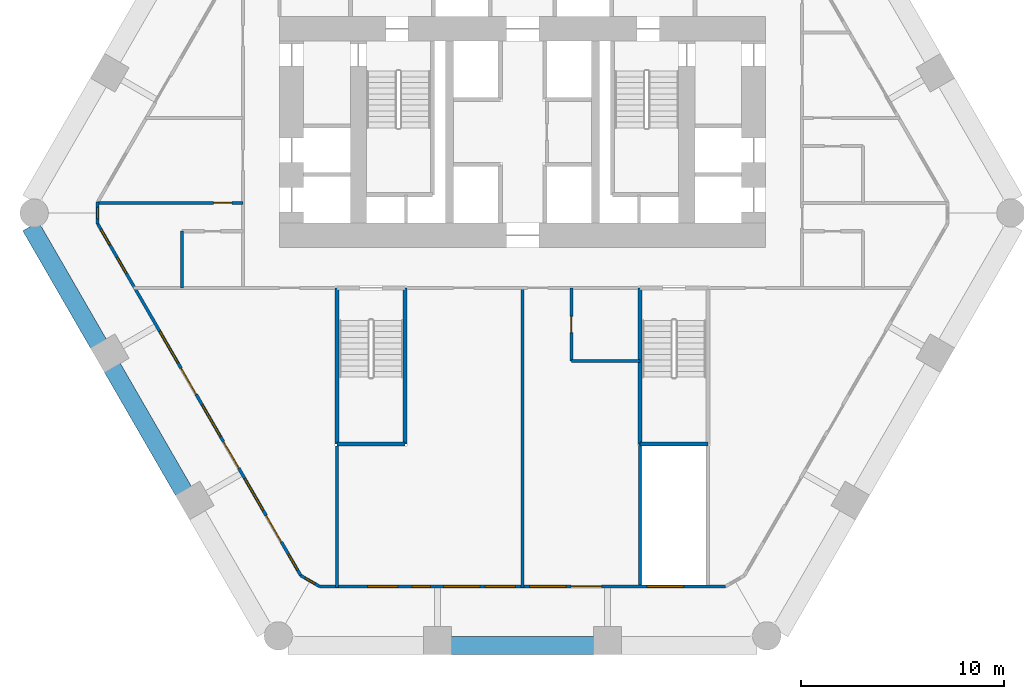
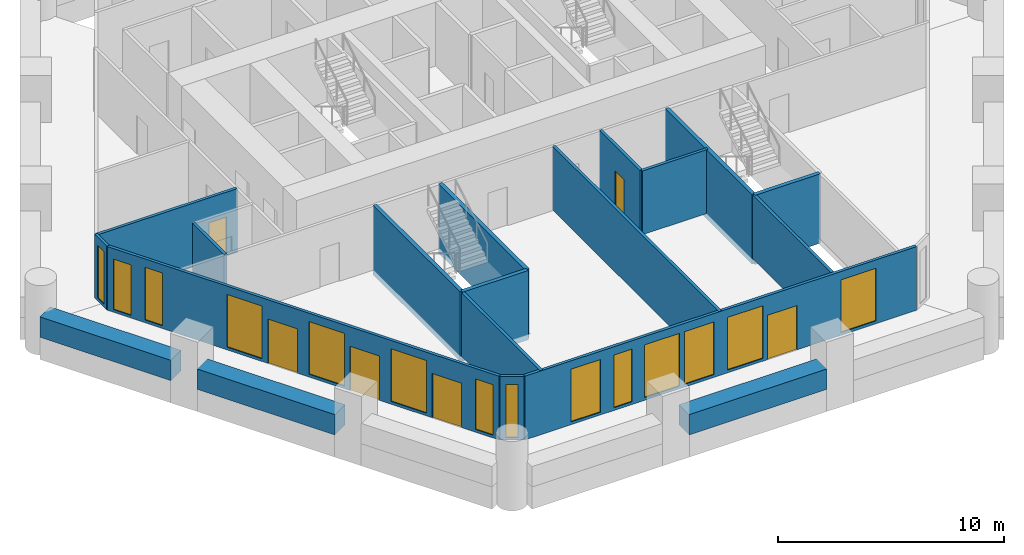
# One storey, part 2 of 8: 19 walls, 14 windows, 6 doors, 20 openings.
"""IFC4 building model written with IfcOpenShell, lengths in metres."""

from ifc_helpers import new_model, si_unit, direction, frame, frame_2d, origin, place, context, subcontext, project, spatial, rectangle, extrude, material, layer, layer_set, type_object, element, fill, save


model = new_model("IFC4")

# Units and contexts
model_context = context("Model", 3, precision=1e-05, world=origin(), true_north=direction((0.0, 1.0)))
body_context = subcontext(model_context, "Body", "Model", "MODEL_VIEW")
ifc_project = project(units=[si_unit("LENGTHUNIT", "METRE"), si_unit("AREAUNIT", "SQUARE_METRE"), si_unit("VOLUMEUNIT", "CUBIC_METRE"), si_unit("PLANEANGLEUNIT", "RADIAN"), si_unit("MASSUNIT", "GRAM", prefix="KILO")], contexts=[model_context])

# Site, building, storey
site_placement = place(None, origin())
site = spatial("IfcSite", under=ifc_project, at=site_placement, CompositionType="ELEMENT")
building_placement = place(site_placement, origin())
building = spatial("IfcBuilding", under=site, at=building_placement, Name="Ostrander Bayou Hotel Tower", CompositionType="ELEMENT")
storey_placement = place(building_placement, frame((0.0, 0.0, 31.75)))
storey = spatial("IfcBuildingStorey", under=building, at=storey_placement, Name="L07", CompositionType="ELEMENT", Elevation=31.75)

# Wall, openings, doors, windows
ifc_material_1 = material(Name="Aluminium framed insulated wall", Category="aluminium")
ifc_layer_1 = layer(ifc_material_1, 0.14990234375)
ifc_layer_set_1 = layer_set([ifc_layer_1], Name="GW1 glass-line wall 150 mm")
wall_type_1 = type_object("IfcWallType", Name="GW1 glass-line wall 150 mm", PredefinedType="SOLIDWALL", material=ifc_layer_set_1)
wall_1_placement = place(storey_placement, frame((-20.968017578125, -0.532470703125, 0.0), z_axis=(0.0, 0.0, 1.0), x_axis=(0.500003237297, -0.866023534722, 0.0)))
wall_1 = element("IfcWall", 1, at=wall_1_placement, inside=storey, type_object=wall_type_1, Name="GW1 L07 SW 1", PredefinedType="SOLIDWALL", context=body_context, shape_type="SweptSolid", body=[
    extrude(rectangle(XDim=20.045654296875, YDim=0.14990234375, at=frame_2d((10.02294921875, 0.0))), origin(), (0.0, 0.0, 1.0), 3.449951171875),
])
opening_1_placement = place(wall_1_placement, frame((1.9228515625, 0.0, 0.14990234375)))
opening_1 = element("IfcOpeningElement", 2, at=opening_1_placement, cuts=wall_1, Name="Opening W15", PredefinedType="OPENING", context=body_context, shape_type="SweptSolid", body=[
    extrude(rectangle(XDim=0.89990234375, YDim=2.85009765625, at=frame_2d((0.449951171875, 1.425048828125))), frame((0.0, 0.074951171875, 0.0), z_axis=(0.0, -1.0, 0.0), x_axis=(1.0, 0.0, 0.0)), (0.0, 0.0, 1.0), 0.14990234375),
])
opening_2_placement = place(wall_1_placement, frame((6.122802734375, 0.0, 0.14990234375)))
opening_2 = element("IfcOpeningElement", 3, at=opening_2_placement, cuts=wall_1, Name="Opening W1", PredefinedType="OPENING", context=body_context, shape_type="SweptSolid", body=[
    extrude(rectangle(XDim=1.800048828125, YDim=2.85009765625, at=frame_2d((0.89990234375, 1.425048828125))), frame((0.0, 0.074951171875, 0.0), z_axis=(0.0, -1.0, 0.0), x_axis=(1.0, 0.0, 0.0)), (0.0, 0.0, 1.0), 0.14990234375),
])
opening_3_placement = place(wall_1_placement, frame((8.222900390625, 0.0, 0.0)))
opening_3 = element("IfcOpeningElement", 4, at=opening_3_placement, cuts=wall_1, Name="Opening T06-801", PredefinedType="OPENING", context=body_context, shape_type="SweptSolid", body=[
    extrude(rectangle(XDim=1.5, YDim=2.39990234375, at=frame_2d((0.75, 1.199951171875))), frame((0.0, 0.074951171875, 0.0), z_axis=(0.0, -1.0, 0.0), x_axis=(1.0, 0.0, 0.0)), (0.0, 0.0, 1.0), 0.14990234375),
])
opening_4_placement = place(wall_1_placement, frame((10.32275390625, 0.0, 0.14990234375)))
opening_4 = element("IfcOpeningElement", 5, at=opening_4_placement, cuts=wall_1, Name="Opening W1", PredefinedType="OPENING", context=body_context, shape_type="SweptSolid", body=[
    extrude(rectangle(XDim=1.800048828125, YDim=2.85009765625, at=frame_2d((0.89990234375, 1.425048828125))), frame((0.0, 0.074951171875, 0.0), z_axis=(0.0, -1.0, 0.0), x_axis=(1.0, 0.0, 0.0)), (0.0, 0.0, 1.0), 0.14990234375),
])
opening_5_placement = place(wall_1_placement, frame((12.4228515625, 0.0, 0.0)))
opening_5 = element("IfcOpeningElement", 6, at=opening_5_placement, cuts=wall_1, Name="Opening T06-802", PredefinedType="OPENING", context=body_context, shape_type="SweptSolid", body=[
    extrude(rectangle(XDim=1.5, YDim=2.39990234375, at=frame_2d((0.75, 1.199951171875))), frame((0.0, 0.074951171875, 0.0), z_axis=(0.0, -1.0, 0.0), x_axis=(1.0, 0.0, 0.0)), (0.0, 0.0, 1.0), 0.14990234375),
])
opening_6_placement = place(wall_1_placement, frame((14.522705078125, 0.0, 0.14990234375)))
opening_6 = element("IfcOpeningElement", 7, at=opening_6_placement, cuts=wall_1, Name="Opening W1", PredefinedType="OPENING", context=body_context, shape_type="SweptSolid", body=[
    extrude(rectangle(XDim=1.800048828125, YDim=2.85009765625, at=frame_2d((0.89990234375, 1.425048828125))), frame((0.0, 0.074951171875, 0.0), z_axis=(0.0, -1.0, 0.0), x_axis=(1.0, 0.0, 0.0)), (0.0, 0.0, 1.0), 0.14990234375),
])
opening_7_placement = place(wall_1_placement, frame((16.622802734375, 0.0, 0.0)))
opening_7 = element("IfcOpeningElement", 8, at=opening_7_placement, cuts=wall_1, Name="Opening T06-803", PredefinedType="OPENING", context=body_context, shape_type="SweptSolid", body=[
    extrude(rectangle(XDim=1.5, YDim=2.39990234375, at=frame_2d((0.75, 1.199951171875))), frame((0.0, 0.074951171875, 0.0), z_axis=(0.0, -1.0, 0.0), x_axis=(1.0, 0.0, 0.0)), (0.0, 0.0, 1.0), 0.14990234375),
])
opening_8_placement = place(wall_1_placement, frame((0.311279296875, 0.0, 0.14990234375)))
opening_8 = element("IfcOpeningElement", 9, at=opening_8_placement, cuts=wall_1, Name="Opening W15", PredefinedType="OPENING", context=body_context, shape_type="SweptSolid", body=[
    extrude(rectangle(XDim=0.89990234375, YDim=2.72998046875, at=frame_2d((0.449951171875, 1.364990234375))), frame((0.0, 0.074951171875, 0.0), z_axis=(0.0, -1.0, 0.0), x_axis=(1.0, 0.0, 0.0)), (0.0, 0.0, 1.0), 0.14990234375),
])
opening_9_placement = place(wall_1_placement, frame((18.834228515625, 0.0, 0.14990234375)))
opening_9 = element("IfcOpeningElement", 10, at=opening_9_placement, cuts=wall_1, Name="Opening W15", PredefinedType="OPENING", context=body_context, shape_type="SweptSolid", body=[
    extrude(rectangle(XDim=0.89990234375, YDim=2.72998046875, at=frame_2d((0.449951171875, 1.364990234375))), frame((0.0, 0.074951171875, 0.0), z_axis=(0.0, -1.0, 0.0), x_axis=(1.0, 0.0, 0.0)), (0.0, 0.0, 1.0), 0.14990234375),
])
ifc_material_2 = material(Name="Aluminium and clear glass", Category="aluminium")
door_type_1 = type_object("IfcDoorType", Name="SD1 sliding glass door 1500 mm, zone 1", OperationType="SLIDING_TO_LEFT", PredefinedType="DOOR", material=ifc_material_2)
door_1_placement = place(opening_3_placement, origin())
door_1 = element("IfcDoor", 11, at=door_1_placement, inside=storey, type_object=door_type_1, Name="SD1 L07 SW 2", OperationType="SLIDING_TO_RIGHT", OverallHeight=2.39990234375, OverallWidth=1.5, PredefinedType="DOOR", context=body_context, shape_type="SweptSolid", body=[
    extrude(rectangle(XDim=1.5, YDim=2.39990234375, at=frame_2d((0.75, 1.199951171875))), frame((0.0, 0.02490234375, 0.0), z_axis=(0.0, -1.0, 0.0), x_axis=(1.0, 0.0, 0.0)), (0.0, 0.0, 1.0), 0.050048828125),
])
fill(opening_3, door_1)
door_2_placement = place(opening_5_placement, origin())
door_2 = element("IfcDoor", 12, at=door_2_placement, inside=storey, type_object=door_type_1, Name="SD1 L07 SW 3", OperationType="SLIDING_TO_LEFT", OverallHeight=2.39990234375, OverallWidth=1.5, PredefinedType="DOOR", context=body_context, shape_type="SweptSolid", body=[
    extrude(rectangle(XDim=1.5, YDim=2.39990234375, at=frame_2d((0.75, 1.199951171875))), frame((0.0, 0.02490234375, 0.0), z_axis=(0.0, -1.0, 0.0), x_axis=(1.0, 0.0, 0.0)), (0.0, 0.0, 1.0), 0.050048828125),
])
fill(opening_5, door_2)
door_3_placement = place(opening_7_placement, origin())
door_3 = element("IfcDoor", 13, at=door_3_placement, inside=storey, type_object=door_type_1, Name="SD1 L07 SW 4", OperationType="SLIDING_TO_RIGHT", OverallHeight=2.39990234375, OverallWidth=1.5, PredefinedType="DOOR", context=body_context, shape_type="SweptSolid", body=[
    extrude(rectangle(XDim=1.5, YDim=2.39990234375, at=frame_2d((0.75, 1.199951171875))), frame((0.0, 0.02490234375, 0.0), z_axis=(0.0, -1.0, 0.0), x_axis=(1.0, 0.0, 0.0)), (0.0, 0.0, 1.0), 0.050048828125),
])
fill(opening_7, door_3)
ifc_material_3 = material(Name="Aluminium and clear glass", Category="aluminium")
window_type_1 = type_object("IfcWindowType", Name="W1 fixed window 1800 mm, zone 1", PartitioningType="SINGLE_PANEL", PredefinedType="WINDOW", material=ifc_material_3)
window_1_placement = place(opening_2_placement, origin())
window_1 = element("IfcWindow", 14, at=window_1_placement, inside=storey, type_object=window_type_1, Name="W1 L07 SW 2", OverallHeight=2.85009765625, OverallWidth=1.800048828125, PartitioningType="SINGLE_PANEL", PredefinedType="WINDOW", context=body_context, shape_type="SweptSolid", body=[
    extrude(rectangle(XDim=1.800048828125, YDim=2.85009765625, at=frame_2d((0.89990234375, 1.425048828125))), frame((0.0, 0.030029296875, 0.0), z_axis=(0.0, -1.0, 0.0), x_axis=(1.0, 0.0, 0.0)), (0.0, 0.0, 1.0), 0.06005859375),
])
fill(opening_2, window_1)
window_2_placement = place(opening_4_placement, origin())
window_2 = element("IfcWindow", 15, at=window_2_placement, inside=storey, type_object=window_type_1, Name="W1 L07 SW 3", OverallHeight=2.85009765625, OverallWidth=1.800048828125, PartitioningType="SINGLE_PANEL", PredefinedType="WINDOW", context=body_context, shape_type="SweptSolid", body=[
    extrude(rectangle(XDim=1.800048828125, YDim=2.85009765625, at=frame_2d((0.89990234375, 1.425048828125))), frame((0.0, 0.030029296875, 0.0), z_axis=(0.0, -1.0, 0.0), x_axis=(1.0, 0.0, 0.0)), (0.0, 0.0, 1.0), 0.06005859375),
])
fill(opening_4, window_2)
window_3_placement = place(opening_6_placement, origin())
window_3 = element("IfcWindow", 16, at=window_3_placement, inside=storey, type_object=window_type_1, Name="W1 L07 SW 4", OverallHeight=2.85009765625, OverallWidth=1.800048828125, PartitioningType="SINGLE_PANEL", PredefinedType="WINDOW", context=body_context, shape_type="SweptSolid", body=[
    extrude(rectangle(XDim=1.800048828125, YDim=2.85009765625, at=frame_2d((0.89990234375, 1.425048828125))), frame((0.0, 0.030029296875, 0.0), z_axis=(0.0, -1.0, 0.0), x_axis=(1.0, 0.0, 0.0)), (0.0, 0.0, 1.0), 0.06005859375),
])
fill(opening_6, window_3)
ifc_material_4 = material(Name="Aluminium and clear glass", Category="aluminium")
window_type_2 = type_object("IfcWindowType", Name="W15 window 900 mm, zone 1", PartitioningType="SINGLE_PANEL", PredefinedType="WINDOW", material=ifc_material_4)
window_4_placement = place(opening_1_placement, origin())
window_4 = element("IfcWindow", 17, at=window_4_placement, inside=storey, type_object=window_type_2, Name="W15 L07 SW 1", OverallHeight=2.85009765625, OverallWidth=0.89990234375, PartitioningType="SINGLE_PANEL", PredefinedType="WINDOW", context=body_context, shape_type="SweptSolid", body=[
    extrude(rectangle(XDim=0.89990234375, YDim=2.85009765625, at=frame_2d((0.449951171875, 1.425048828125))), frame((0.0, 0.030029296875, 0.0), z_axis=(0.0, -1.0, 0.0), x_axis=(1.0, 0.0, 0.0)), (0.0, 0.0, 1.0), 0.06005859375),
])
fill(opening_1, window_4)
window_5_placement = place(opening_8_placement, origin())
window_5 = element("IfcWindow", 18, at=window_5_placement, inside=storey, type_object=window_type_2, Name="W15 L07 SW E11", OverallHeight=2.72998046875, OverallWidth=0.89990234375, PartitioningType="SINGLE_PANEL", PredefinedType="WINDOW", context=body_context, shape_type="SweptSolid", body=[
    extrude(rectangle(XDim=0.89990234375, YDim=2.72998046875, at=frame_2d((0.449951171875, 1.364990234375))), frame((0.0, 0.030029296875, 0.0), z_axis=(0.0, -1.0, 0.0), x_axis=(1.0, 0.0, 0.0)), (0.0, 0.0, 1.0), 0.06005859375),
])
fill(opening_8, window_5)
window_6_placement = place(opening_9_placement, origin())
window_6 = element("IfcWindow", 19, at=window_6_placement, inside=storey, type_object=window_type_2, Name="W15 L07 SW E21", OverallHeight=2.72998046875, OverallWidth=0.89990234375, PartitioningType="SINGLE_PANEL", PredefinedType="WINDOW", context=body_context, shape_type="SweptSolid", body=[
    extrude(rectangle(XDim=0.89990234375, YDim=2.72998046875, at=frame_2d((0.449951171875, 1.364990234375))), frame((0.0, 0.030029296875, 0.0), z_axis=(0.0, -1.0, 0.0), x_axis=(1.0, 0.0, 0.0)), (0.0, 0.0, 1.0), 0.06005859375),
])
fill(opening_9, window_6)

# Wall, openings, door, windows
wall_2_placement = place(storey_placement, frame((-10.022705078125, -18.425048828125, 0.0), z_axis=(0.0, 0.0, 1.0), x_axis=(1.0, 0.0, 0.0)))
wall_2 = element("IfcWall", 20, at=wall_2_placement, inside=storey, type_object=wall_type_1, Name="GW1 L07 S 1", PredefinedType="SOLIDWALL", context=body_context, shape_type="SweptSolid", body=[
    extrude(rectangle(XDim=20.04541015625, YDim=0.14990234375, at=frame_2d((10.022705078125, 0.0))), origin(), (0.0, 0.0, 1.0), 3.449951171875),
])
opening_10_placement = place(wall_2_placement, frame((4.57275390625, 0.0, 0.14990234375)))
opening_10 = element("IfcOpeningElement", 21, at=opening_10_placement, cuts=wall_2, Name="Opening W15", PredefinedType="OPENING", context=body_context, shape_type="SweptSolid", body=[
    extrude(rectangle(XDim=0.89990234375, YDim=2.85009765625, at=frame_2d((0.449951171875, 1.425048828125))), frame((0.0, 0.074951171875, 0.0), z_axis=(0.0, -1.0, 0.0), x_axis=(1.0, 0.0, 0.0)), (0.0, 0.0, 1.0), 0.14990234375),
])
opening_11_placement = place(wall_2_placement, frame((2.372802734375, 0.0, 0.14990234375)))
opening_11 = element("IfcOpeningElement", 22, at=opening_11_placement, cuts=wall_2, Name="Opening W11", PredefinedType="OPENING", context=body_context, shape_type="SweptSolid", body=[
    extrude(rectangle(XDim=1.5, YDim=2.85009765625, at=frame_2d((0.75, 1.425048828125))), frame((0.0, 0.074951171875, 0.0), z_axis=(0.0, -1.0, 0.0), x_axis=(1.0, 0.0, 0.0)), (0.0, 0.0, 1.0), 0.14990234375),
])
opening_12_placement = place(wall_2_placement, frame((6.122802734375, 0.0, 0.14990234375)))
opening_12 = element("IfcOpeningElement", 23, at=opening_12_placement, cuts=wall_2, Name="Opening W1", PredefinedType="OPENING", context=body_context, shape_type="SweptSolid", body=[
    extrude(rectangle(XDim=1.800048828125, YDim=2.85009765625, at=frame_2d((0.89990234375, 1.425048828125))), frame((0.0, 0.074951171875, 0.0), z_axis=(0.0, -1.0, 0.0), x_axis=(1.0, 0.0, 0.0)), (0.0, 0.0, 1.0), 0.14990234375),
])
opening_13_placement = place(wall_2_placement, frame((8.1728515625, 0.0, 0.14990234375)))
opening_13 = element("IfcOpeningElement", 24, at=opening_13_placement, cuts=wall_2, Name="Opening W11", PredefinedType="OPENING", context=body_context, shape_type="SweptSolid", body=[
    extrude(rectangle(XDim=1.5, YDim=2.85009765625, at=frame_2d((0.75, 1.425048828125))), frame((0.0, 0.074951171875, 0.0), z_axis=(0.0, -1.0, 0.0), x_axis=(1.0, 0.0, 0.0)), (0.0, 0.0, 1.0), 0.14990234375),
])
opening_14_placement = place(wall_2_placement, frame((10.372802734375, 0.0, 0.14990234375)))
opening_14 = element("IfcOpeningElement", 25, at=opening_14_placement, cuts=wall_2, Name="Opening W1", PredefinedType="OPENING", context=body_context, shape_type="SweptSolid", body=[
    extrude(rectangle(XDim=1.800048828125, YDim=2.85009765625, at=frame_2d((0.89990234375, 1.425048828125))), frame((0.0, 0.074951171875, 0.0), z_axis=(0.0, -1.0, 0.0), x_axis=(1.0, 0.0, 0.0)), (0.0, 0.0, 1.0), 0.14990234375),
])
opening_15_placement = place(wall_2_placement, frame((12.4228515625, 0.0, 0.0)))
opening_15 = element("IfcOpeningElement", 26, at=opening_15_placement, cuts=wall_2, Name="Opening T06-804", PredefinedType="OPENING", context=body_context, shape_type="SweptSolid", body=[
    extrude(rectangle(XDim=1.5, YDim=2.39990234375, at=frame_2d((0.75, 1.199951171875))), frame((0.0, 0.074951171875, 0.0), z_axis=(0.0, -1.0, 0.0), x_axis=(1.0, 0.0, 0.0)), (0.0, 0.0, 1.0), 0.14990234375),
])
opening_16_placement = place(wall_2_placement, frame((16.1728515625, 0.0, 0.14990234375)))
opening_16 = element("IfcOpeningElement", 27, at=opening_16_placement, cuts=wall_2, Name="Opening W1", PredefinedType="OPENING", context=body_context, shape_type="SweptSolid", body=[
    extrude(rectangle(XDim=1.800048828125, YDim=2.85009765625, at=frame_2d((0.89990234375, 1.425048828125))), frame((0.0, 0.074951171875, 0.0), z_axis=(0.0, -1.0, 0.0), x_axis=(1.0, 0.0, 0.0)), (0.0, 0.0, 1.0), 0.14990234375),
])
door_4_placement = place(opening_15_placement, origin())
door_4 = element("IfcDoor", 28, at=door_4_placement, inside=storey, type_object=door_type_1, Name="SD1 L07 S 3", OperationType="SLIDING_TO_LEFT", OverallHeight=2.39990234375, OverallWidth=1.5, PredefinedType="DOOR", context=body_context, shape_type="SweptSolid", body=[
    extrude(rectangle(XDim=1.5, YDim=2.39990234375, at=frame_2d((0.75, 1.199951171875))), frame((0.0, 0.02490234375, 0.0), z_axis=(0.0, -1.0, 0.0), x_axis=(1.0, 0.0, 0.0)), (0.0, 0.0, 1.0), 0.050048828125),
])
fill(opening_15, door_4)
window_7_placement = place(opening_12_placement, origin())
window_7 = element("IfcWindow", 29, at=window_7_placement, inside=storey, type_object=window_type_1, Name="W1 L07 S 2", OverallHeight=2.85009765625, OverallWidth=1.800048828125, PartitioningType="SINGLE_PANEL", PredefinedType="WINDOW", context=body_context, shape_type="SweptSolid", body=[
    extrude(rectangle(XDim=1.800048828125, YDim=2.85009765625, at=frame_2d((0.89990234375, 1.425048828125))), frame((0.0, 0.030029296875, 0.0), z_axis=(0.0, -1.0, 0.0), x_axis=(1.0, 0.0, 0.0)), (0.0, 0.0, 1.0), 0.06005859375),
])
fill(opening_12, window_7)
window_8_placement = place(opening_14_placement, origin())
window_8 = element("IfcWindow", 30, at=window_8_placement, inside=storey, type_object=window_type_1, Name="W1 L07 S 3", OverallHeight=2.85009765625, OverallWidth=1.800048828125, PartitioningType="SINGLE_PANEL", PredefinedType="WINDOW", context=body_context, shape_type="SweptSolid", body=[
    extrude(rectangle(XDim=1.800048828125, YDim=2.85009765625, at=frame_2d((0.89990234375, 1.425048828125))), frame((0.0, 0.030029296875, 0.0), z_axis=(0.0, -1.0, 0.0), x_axis=(1.0, 0.0, 0.0)), (0.0, 0.0, 1.0), 0.06005859375),
])
fill(opening_14, window_8)
window_9_placement = place(opening_16_placement, origin())
window_9 = element("IfcWindow", 31, at=window_9_placement, inside=storey, type_object=window_type_1, Name="W1 L07 S 4", OverallHeight=2.85009765625, OverallWidth=1.800048828125, PartitioningType="SINGLE_PANEL", PredefinedType="WINDOW", context=body_context, shape_type="SweptSolid", body=[
    extrude(rectangle(XDim=1.800048828125, YDim=2.85009765625, at=frame_2d((0.89990234375, 1.425048828125))), frame((0.0, 0.030029296875, 0.0), z_axis=(0.0, -1.0, 0.0), x_axis=(1.0, 0.0, 0.0)), (0.0, 0.0, 1.0), 0.06005859375),
])
fill(opening_16, window_9)
ifc_material_5 = material(Name="Aluminium and clear glass", Category="aluminium")
window_type_3 = type_object("IfcWindowType", Name="W11 fixed window 1500 mm, bath bay, zone 1", PartitioningType="SINGLE_PANEL", PredefinedType="WINDOW", material=ifc_material_5)
window_10_placement = place(opening_11_placement, origin())
window_10 = element("IfcWindow", 32, at=window_10_placement, inside=storey, type_object=window_type_3, Name="W11 L07 S 1", OverallHeight=2.85009765625, OverallWidth=1.5, PartitioningType="SINGLE_PANEL", PredefinedType="WINDOW", context=body_context, shape_type="SweptSolid", body=[
    extrude(rectangle(XDim=1.5, YDim=2.85009765625, at=frame_2d((0.75, 1.425048828125))), frame((0.0, 0.030029296875, 0.0), z_axis=(0.0, -1.0, 0.0), x_axis=(1.0, 0.0, 0.0)), (0.0, 0.0, 1.0), 0.06005859375),
])
fill(opening_11, window_10)
window_11_placement = place(opening_13_placement, origin())
window_11 = element("IfcWindow", 33, at=window_11_placement, inside=storey, type_object=window_type_3, Name="W11 L07 S 2", OverallHeight=2.85009765625, OverallWidth=1.5, PartitioningType="SINGLE_PANEL", PredefinedType="WINDOW", context=body_context, shape_type="SweptSolid", body=[
    extrude(rectangle(XDim=1.5, YDim=2.85009765625, at=frame_2d((0.75, 1.425048828125))), frame((0.0, 0.030029296875, 0.0), z_axis=(0.0, -1.0, 0.0), x_axis=(1.0, 0.0, 0.0)), (0.0, 0.0, 1.0), 0.06005859375),
])
fill(opening_13, window_11)
window_12_placement = place(opening_10_placement, origin())
window_12 = element("IfcWindow", 34, at=window_12_placement, inside=storey, type_object=window_type_2, Name="W15 L07 S 1", OverallHeight=2.85009765625, OverallWidth=0.89990234375, PartitioningType="SINGLE_PANEL", PredefinedType="WINDOW", context=body_context, shape_type="SweptSolid", body=[
    extrude(rectangle(XDim=0.89990234375, YDim=2.85009765625, at=frame_2d((0.449951171875, 1.425048828125))), frame((0.0, 0.030029296875, 0.0), z_axis=(0.0, -1.0, 0.0), x_axis=(1.0, 0.0, 0.0)), (0.0, 0.0, 1.0), 0.06005859375),
])
fill(opening_10, window_12)

# Wall, opening, window
wall_3_placement = place(storey_placement, frame((-20.968017578125, 0.532470703125, 0.0), z_axis=(0.0, 0.0, 1.0), x_axis=(0.0, -1.0, 0.0)))
wall_3 = element("IfcWall", 35, at=wall_3_placement, inside=storey, type_object=wall_type_1, Name="GW1 L07 corner 2", PredefinedType="SOLIDWALL", context=body_context, shape_type="SweptSolid", body=[
    extrude(rectangle(XDim=1.06494140625, YDim=0.14990234375, at=frame_2d((0.532470703125, 0.0))), origin(), (0.0, 0.0, 1.0), 3.449951171875),
])
opening_17_placement = place(wall_3_placement, frame((0.257568359375, 0.0, 0.14990234375)))
opening_17 = element("IfcOpeningElement", 36, at=opening_17_placement, cuts=wall_3, Name="Opening W19", PredefinedType="OPENING", context=body_context, shape_type="SweptSolid", body=[
    extrude(rectangle(XDim=0.550048828125, YDim=2.85009765625, at=frame_2d((0.27490234375, 1.425048828125))), frame((0.0, 0.074951171875, 0.0), z_axis=(0.0, -1.0, 0.0), x_axis=(1.0, 0.0, 0.0)), (0.0, 0.0, 1.0), 0.14990234375),
])
ifc_material_6 = material(Name="Aluminium and clear glass", Category="aluminium")
window_type_4 = type_object("IfcWindowType", Name="W19 corner window 550 mm", PartitioningType="SINGLE_PANEL", PredefinedType="WINDOW", material=ifc_material_6)
window_13_placement = place(opening_17_placement, origin())
window_13 = element("IfcWindow", 37, at=window_13_placement, inside=storey, type_object=window_type_4, Name="W19 L07 corner 2", OverallHeight=2.85009765625, OverallWidth=0.550048828125, PartitioningType="SINGLE_PANEL", PredefinedType="WINDOW", context=body_context, shape_type="SweptSolid", body=[
    extrude(rectangle(XDim=0.550048828125, YDim=2.85009765625, at=frame_2d((0.27490234375, 1.425048828125))), frame((0.0, 0.030029296875, 0.0), z_axis=(0.0, -1.0, 0.0), x_axis=(1.0, 0.0, 0.0)), (0.0, 0.0, 1.0), 0.06005859375),
])
fill(opening_17, window_13)

wall_4_placement = place(storey_placement, frame((-10.945068359375, -17.892578125, 0.0), z_axis=(0.0, 0.0, 1.0), x_axis=(0.866048165231, -0.499960573946, 0.0)))
wall_4 = element("IfcWall", 38, at=wall_4_placement, inside=storey, type_object=wall_type_1, Name="GW1 L07 corner 3", PredefinedType="SOLIDWALL", context=body_context, shape_type="SweptSolid", body=[
    extrude(rectangle(XDim=1.06494140625, YDim=0.14990234375, at=frame_2d((0.532470703125, 0.0))), origin(), (0.0, 0.0, 1.0), 3.449951171875),
])
opening_18_placement = place(wall_4_placement, frame((0.257568359375, 0.0, 0.14990234375)))
opening_18 = element("IfcOpeningElement", 39, at=opening_18_placement, cuts=wall_4, Name="Opening W19", PredefinedType="OPENING", context=body_context, shape_type="SweptSolid", body=[
    extrude(rectangle(XDim=0.550048828125, YDim=2.85009765625, at=frame_2d((0.27490234375, 1.425048828125))), frame((0.0, 0.074951171875, 0.0), z_axis=(0.0, -1.0, 0.0), x_axis=(1.0, 0.0, 0.0)), (0.0, 0.0, 1.0), 0.14990234375),
])
window_14_placement = place(opening_18_placement, origin())
window_14 = element("IfcWindow", 40, at=window_14_placement, inside=storey, type_object=window_type_4, Name="W19 L07 corner 3", OverallHeight=2.85009765625, OverallWidth=0.550048828125, PartitioningType="SINGLE_PANEL", PredefinedType="WINDOW", context=body_context, shape_type="SweptSolid", body=[
    extrude(rectangle(XDim=0.550048828125, YDim=2.85009765625, at=frame_2d((0.27490234375, 1.425048828125))), frame((0.0, 0.030029296875, 0.0), z_axis=(0.0, -1.0, 0.0), x_axis=(1.0, 0.0, 0.0)), (0.0, 0.0, 1.0), 0.06005859375),
])
fill(opening_18, window_14)

# Walls
ifc_material_7 = material(Name="Concrete f'c 40 MPa", Category="concrete")
ifc_layer_2 = layer(ifc_material_7, 0.89990234375)
ifc_layer_set_2 = layer_set([ifc_layer_2], Name="PA1 stone-faced parapet 900 mm")
wall_type_2 = type_object("IfcWallType", Name="PA1 stone-faced parapet 900 mm", PredefinedType="PARAPET", material=ifc_layer_set_2)
wall_5_placement = place(storey_placement, frame((-3.525390625, -21.35009765625, 0.0), z_axis=(0.0, 0.0, 1.0), x_axis=(1.0, 0.0, 0.0)))
element("IfcWall", 41, at=wall_5_placement, inside=storey, type_object=wall_type_2, Name="PA1 L07 S-2", PredefinedType="PARAPET", context=body_context, shape_type="SweptSolid", body=[
    extrude(rectangle(XDim=7.05078125, YDim=0.89990234375, at=frame_2d((3.525390625, 0.0))), origin(), (0.0, 0.0, 1.0), 1.10009765625),
])
ifc_material_8 = material(Name="Limestone masonry", Category="masonry")
ifc_layer_3 = layer(ifc_material_8, 0.89990234375)
ifc_layer_set_3 = layer_set([ifc_layer_3], Name="PA2 limestone parapet 900 mm")
wall_type_3 = type_object("IfcWallType", Name="PA2 limestone parapet 900 mm", PredefinedType="PARAPET", material=ifc_layer_set_3)
wall_6_placement = place(storey_placement, frame((-24.274169921875, -0.656005859375, 0.0), z_axis=(0.0, 0.0, 1.0), x_axis=(0.500005133765, -0.866022439784, 0.0)))
element("IfcWall", 42, at=wall_6_placement, inside=storey, type_object=wall_type_3, Name="PA2 L07 SW-1", PredefinedType="PARAPET", context=body_context, shape_type="SweptSolid", body=[
    extrude(rectangle(XDim=6.70361328125, YDim=0.89990234375, at=frame_2d((3.351806640625, 0.0))), origin(), (0.0, 0.0, 1.0), 1.10009765625),
])
wall_7_placement = place(storey_placement, frame((-20.252197265625, -7.621826171875, 0.0), z_axis=(0.0, 0.0, 1.0), x_axis=(0.499997206141, -0.866027016814, 0.0)))
element("IfcWall", 43, at=wall_7_placement, inside=storey, type_object=wall_type_3, Name="PA2 L07 SW-2", PredefinedType="PARAPET", context=body_context, shape_type="SweptSolid", body=[
    extrude(rectangle(XDim=7.05078125, YDim=0.89990234375, at=frame_2d((3.525390625, 0.0))), origin(), (0.0, 0.0, 1.0), 1.10009765625),
])
ifc_material_9 = material(Name="Gypsum board partition", Category="finish")
ifc_layer_4 = layer(ifc_material_9, 0.14990234375)
ifc_layer_set_4 = layer_set([ifc_layer_4], Name="PT7 riser wall 150 mm, 2 hour")
wall_type_4 = type_object("IfcWallType", Name="PT7 riser wall 150 mm, 2 hour", PredefinedType="PARTITIONING", material=ifc_layer_set_4)
wall_8_placement = place(storey_placement, frame((5.800048828125, -11.39990234375, 0.0), z_axis=(0.0, 0.0, 1.0), x_axis=(0.0, -1.0, 0.0)))
element("IfcWall", 44, at=wall_8_placement, inside=storey, type_object=wall_type_4, Name="cs:L07:019", PredefinedType="PARTITIONING", context=body_context, shape_type="SweptSolid", body=[
    extrude(rectangle(XDim=6.9501953125, YDim=0.14990234375, at=frame_2d((3.47509765625, 0.0))), origin(), (0.0, 0.0, 1.0), 3.449951171875),
])
ifc_material_10 = material(Name="Gypsum board partition", Category="finish")
ifc_layer_5 = layer(ifc_material_10, 0.14990234375)
ifc_layer_set_5 = layer_set([ifc_layer_5], Name="PT8 service band wall 150 mm, 1 hour")
wall_type_5 = type_object("IfcWallType", Name="PT8 service band wall 150 mm, 1 hour", PredefinedType="PARTITIONING", material=ifc_layer_set_5)
wall_9_placement = place(storey_placement, frame((2.409912109375, -7.300048828125, 0.0), z_axis=(0.0, 0.0, 1.0), x_axis=(1.0, 0.0, 0.0)))
element("IfcWall", 45, at=wall_9_placement, inside=storey, type_object=wall_type_5, Name="gw:L07:001", PredefinedType="PARTITIONING", context=body_context, shape_type="SweptSolid", body=[
    extrude(rectangle(XDim=3.380126953125, YDim=0.14990234375, at=frame_2d((1.68994140625, 0.0))), origin(), (0.0, 0.0, 1.0), 3.449951171875),
])

# Wall, opening, door
wall_10_placement = place(storey_placement, frame((-20.986083984375, 0.5, 0.0), z_axis=(0.0, 0.0, 1.0), x_axis=(1.0, 0.0, 0.0)))
wall_10 = element("IfcWall", 46, at=wall_10_placement, inside=storey, type_object=wall_type_5, Name="gw:L07:007", PredefinedType="PARTITIONING", context=body_context, shape_type="SweptSolid", body=[
    extrude(rectangle(XDim=7.18603515625, YDim=0.14990234375, at=frame_2d((3.593017578125, 0.0))), origin(), (0.0, 0.0, 1.0), 3.449951171875),
])
opening_19_placement = place(wall_10_placement, frame((5.736083984375, 0.0, 0.0)))
opening_19 = element("IfcOpeningElement", 47, at=opening_19_placement, cuts=wall_10, Name="Opening T06-406", PredefinedType="OPENING", context=body_context, shape_type="SweptSolid", body=[
    extrude(rectangle(XDim=0.89990234375, YDim=2.10009765625, at=frame_2d((0.449951171875, 1.050048828125))), frame((0.0, 0.074951171875, 0.0), z_axis=(0.0, -1.0, 0.0), x_axis=(1.0, 0.0, 0.0)), (0.0, 0.0, 1.0), 0.14990234375),
])
ifc_material_11 = material(Name="Timber door leaf", Category="wood")
door_type_2 = type_object("IfcDoorType", Name="D8 room door 900 x 2100 mm", OperationType="SINGLE_SWING_LEFT", PredefinedType="DOOR", material=ifc_material_11)
door_5_placement = place(opening_19_placement, origin())
door_5 = element("IfcDoor", 48, at=door_5_placement, inside=storey, type_object=door_type_2, Name="dr:L07:406", OperationType="SINGLE_SWING_RIGHT", OverallHeight=2.10009765625, OverallWidth=0.89990234375, PredefinedType="DOOR", context=body_context, shape_type="SweptSolid", body=[
    extrude(rectangle(XDim=0.89990234375, YDim=2.10009765625, at=frame_2d((0.449951171875, 1.050048828125))), frame((0.0, 0.02490234375, 0.0), z_axis=(0.0, -1.0, 0.0), x_axis=(1.0, 0.0, 0.0)), (0.0, 0.0, 1.0), 0.050048828125),
])
fill(opening_19, door_5)

wall_11_placement = place(storey_placement, frame((2.409912109375, -7.300048828125, 0.0), z_axis=(0.0, 0.0, 1.0), x_axis=(0.0, 1.0, 0.0)))
wall_11 = element("IfcWall", 49, at=wall_11_placement, inside=storey, type_object=wall_type_5, Name="gw:L07:028", PredefinedType="PARTITIONING", context=body_context, shape_type="SweptSolid", body=[
    extrude(rectangle(XDim=3.60009765625, YDim=0.14990234375, at=frame_2d((1.800048828125, 0.0))), origin(), (0.0, 0.0, 1.0), 3.449951171875),
])
opening_20_placement = place(wall_11_placement, frame((1.39990234375, 0.0, 0.0)))
opening_20 = element("IfcOpeningElement", 50, at=opening_20_placement, cuts=wall_11, Name="Opening T06-403", PredefinedType="OPENING", context=body_context, shape_type="SweptSolid", body=[
    extrude(rectangle(XDim=0.800048828125, YDim=2.10009765625, at=frame_2d((0.39990234375, 1.050048828125))), frame((0.0, 0.074951171875, 0.0), z_axis=(0.0, -1.0, 0.0), x_axis=(1.0, 0.0, 0.0)), (0.0, 0.0, 1.0), 0.14990234375),
])
ifc_material_12 = material(Name="Timber door leaf", Category="wood")
door_type_3 = type_object("IfcDoorType", Name="D2 bathroom door 800 x 2100 mm", OperationType="SINGLE_SWING_LEFT", PredefinedType="DOOR", material=ifc_material_12)
door_6_placement = place(opening_20_placement, origin())
door_6 = element("IfcDoor", 51, at=door_6_placement, inside=storey, type_object=door_type_3, Name="dr:L07:403", OperationType="SINGLE_SWING_RIGHT", OverallHeight=2.10009765625, OverallWidth=0.800048828125, PredefinedType="DOOR", context=body_context, shape_type="SweptSolid", body=[
    extrude(rectangle(XDim=0.800048828125, YDim=2.10009765625, at=frame_2d((0.39990234375, 1.050048828125))), frame((0.0, 0.02490234375, 0.0), z_axis=(0.0, -1.0, 0.0), x_axis=(1.0, 0.0, 0.0)), (0.0, 0.0, 1.0), 0.050048828125),
])
fill(opening_20, door_6)

# Walls
wall_12_placement = place(storey_placement, frame((0.0, -18.469970703125, 0.0), z_axis=(0.0, 0.0, 1.0), x_axis=(0.0, 1.0, 0.0)))
element("IfcWall", 52, at=wall_12_placement, inside=storey, type_object=wall_type_5, Name="gw:L07:030", PredefinedType="PARTITIONING", context=body_context, shape_type="SweptSolid", body=[
    extrude(rectangle(XDim=14.77001953125, YDim=0.14990234375, at=frame_2d((7.385009765625, 0.0))), origin(), (0.0, 0.0, 1.0), 3.449951171875),
])
wall_13_placement = place(storey_placement, frame((-9.14990234375, -18.469970703125, 0.0), z_axis=(0.0, 0.0, 1.0), x_axis=(0.0, 1.0, 0.0)))
element("IfcWall", 53, at=wall_13_placement, inside=storey, type_object=wall_type_5, Name="gw:L07:035", PredefinedType="PARTITIONING", context=body_context, shape_type="SweptSolid", body=[
    extrude(rectangle(XDim=6.9599609375, YDim=0.14990234375, at=frame_2d((3.47998046875, 0.0))), origin(), (0.0, 0.0, 1.0), 3.449951171875),
])
wall_14_placement = place(storey_placement, frame((-16.800048828125, -3.699951171875, 0.0), z_axis=(0.0, 0.0, 1.0), x_axis=(0.0, 1.0, 0.0)))
element("IfcWall", 54, at=wall_14_placement, inside=storey, type_object=wall_type_5, Name="gw:L07:039", PredefinedType="PARTITIONING", context=body_context, shape_type="SweptSolid", body=[
    extrude(rectangle(XDim=2.800048828125, YDim=0.14990234375, at=frame_2d((1.39990234375, 0.0))), origin(), (0.0, 0.0, 1.0), 3.449951171875),
])
ifc_material_13 = material(Name="Concrete f'c 45 MPa", Category="concrete")
ifc_layer_6 = layer(ifc_material_13, 0.199951171875)
ifc_layer_set_6 = layer_set([ifc_layer_6], Name="SW5 stair enclosure wall 200 mm f'c 45 MPa")
wall_type_6 = type_object("IfcWallType", Name="SW5 stair enclosure wall 200 mm f'c 45 MPa", PredefinedType="SOLIDWALL", material=ifc_layer_set_6)
wall_15_placement = place(storey_placement, frame((5.800048828125, -3.699951171875, -0.300048828125), z_axis=(0.0, 0.0, 1.0), x_axis=(0.0, -1.0, 0.0)))
element("IfcWall", 55, at=wall_15_placement, inside=storey, type_object=wall_type_6, Name="cs:L07:016", PredefinedType="SOLIDWALL", context=body_context, shape_type="SweptSolid", body=[
    extrude(rectangle(XDim=7.699951171875, YDim=0.199951171875, at=frame_2d((3.85009765625, 0.0))), origin(), (0.0, 0.0, 1.0), 3.75),
])
wall_16_placement = place(storey_placement, frame((5.800048828125, -11.39990234375, -0.300048828125), z_axis=(0.0, 0.0, 1.0), x_axis=(1.0, 0.0, 0.0)))
element("IfcWall", 56, at=wall_16_placement, inside=storey, type_object=wall_type_6, Name="cs:L07:018", PredefinedType="SOLIDWALL", context=body_context, shape_type="SweptSolid", body=[
    extrude(rectangle(XDim=3.349853515625, YDim=0.199951171875, at=frame_2d((1.6748046875, 0.0))), origin(), (0.0, 0.0, 1.0), 3.75),
])
for number, where, z_axis, x_axis, name in (
    (57, (-9.14990234375, -3.699951171875, -0.300048828125), (0.0, 0.0, 1.0), (0.0, -1.0, 0.0), "cs:L07:022"),
    (58, (-5.800048828125, -3.699951171875, -0.300048828125), (0.0, 0.0, 1.0), (0.0, -1.0, 0.0), "cs:L07:023"),
):
    element("IfcWall", number, at=place(storey_placement, frame(where, z_axis=z_axis, x_axis=x_axis)), inside=storey, type_object=wall_type_6, Name=name, PredefinedType="SOLIDWALL", context=body_context, shape_type="SweptSolid", body=[
        extrude(rectangle(XDim=7.699951171875, YDim=0.199951171875, at=frame_2d((3.85009765625, 0.0))), origin(), (0.0, 0.0, 1.0), 3.75),
    ])
wall_17_placement = place(storey_placement, frame((-9.14990234375, -11.39990234375, -0.300048828125), z_axis=(0.0, 0.0, 1.0), x_axis=(1.0, 0.0, 0.0)))
element("IfcWall", 59, at=wall_17_placement, inside=storey, type_object=wall_type_6, Name="cs:L07:024", PredefinedType="SOLIDWALL", context=body_context, shape_type="SweptSolid", body=[
    extrude(rectangle(XDim=3.349853515625, YDim=0.199951171875, at=frame_2d((1.6748046875, 0.0))), origin(), (0.0, 0.0, 1.0), 3.75),
])

save(model, "model.ifc")
